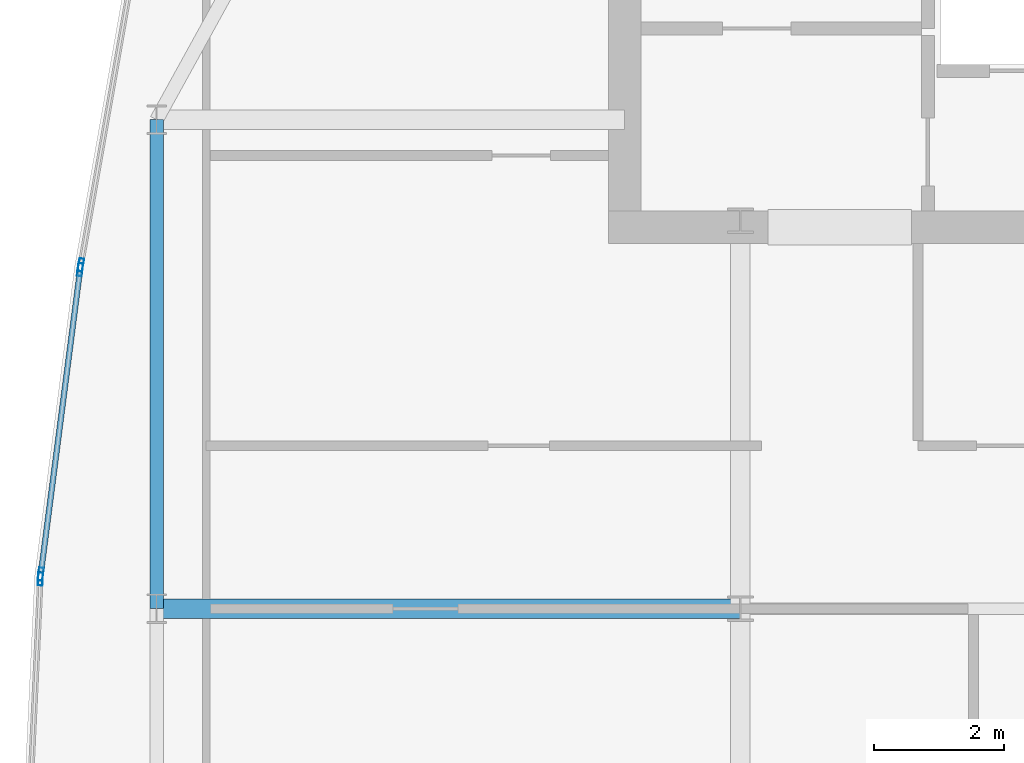
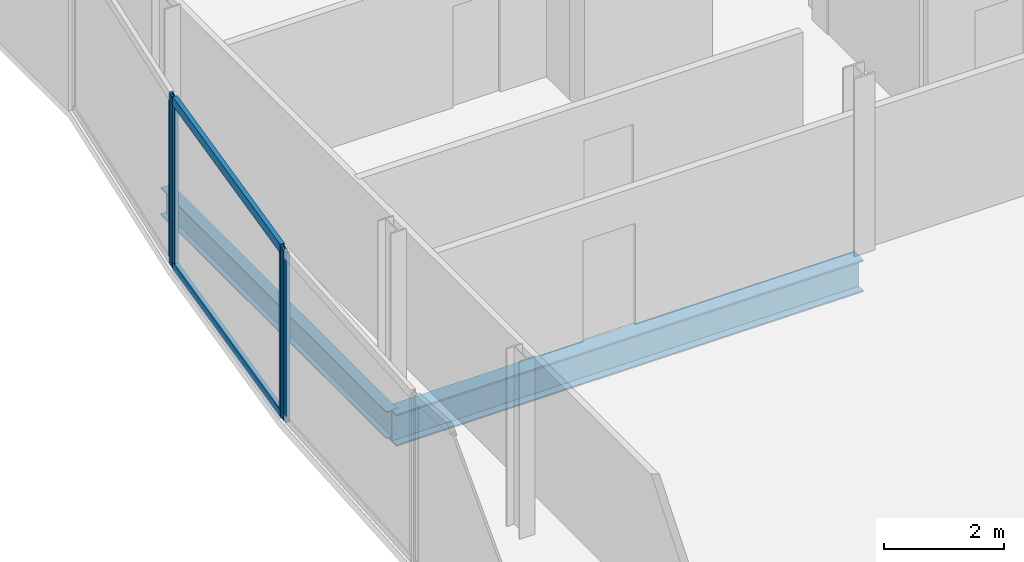
# One storey, part 12 of 30: 6 members, 2 beams, 3 elements without a shape of their own.
"""IFC4 building model written with IfcOpenShell, lengths in metres."""

import ifcopenshell
import ifcopenshell.guid

model = None  # the IFC model being written
_history = None  # IfcOwnerHistory: only IFC2X3 demands one
_inside = {}  # id of a spatial element -> (the spatial element, [elements in it])
_under = {}  # id of a project, library or spatial element -> (it, [spatial elements below it])
_declared = {}  # id of a project -> (the project, [libraries it declares])
_typed = {}  # id of a type object -> (the type object, [elements of that type])
_made_of = {}  # id of a material, layer set ... -> (it, [elements and type objects made of it])


def new_model(schema):
    """Start an empty IFC model of exactly this schema.

    Asked for "IFC4X3", IfcOpenShell would pick the latest addendum, in which some entities
    have other attributes; the version numbers below select the first issue.
    IFC2X3 requires an IfcOwnerHistory on every rooted entity: one is made here for all.
    """
    global model, _history
    if schema == "IFC4X3":
        model = ifcopenshell.file(schema_version=(4, 3, 0, 0))
    else:
        model = ifcopenshell.file(schema=schema)
    _inside.clear()
    _under.clear()
    _declared.clear()
    _typed.clear()
    _made_of.clear()
    _history = None
    if model.schema == "IFC2X3":
        org = make("IfcOrganization", Name="unknown")
        user = make(
            "IfcPersonAndOrganization",
            ThePerson=make("IfcPerson", FamilyName="unknown"),
            TheOrganization=org,
        )
        app = make(
            "IfcApplication",
            ApplicationDeveloper=org,
            Version="unknown",
            ApplicationFullName="unknown",
            ApplicationIdentifier="unknown",
        )
        _history = make(
            "IfcOwnerHistory",
            OwningUser=user,
            OwningApplication=app,
            ChangeAction="ADDED",
            CreationDate=0,
        )
    return model


def make(cls, **values):
    """One entity of the class cls with the attributes given. An attribute that is None is left unset."""
    return model.create_entity(
        cls, **{name: value for name, value in values.items() if value is not None}
    )


def rooted(cls, **values):
    """An entity with a GlobalId (a new one), such as an element, a storey or a relation."""
    return make(cls, GlobalId=ifcopenshell.guid.new(), OwnerHistory=_history, **values)


def si_unit(unit_type, name, prefix=None):
    """IfcSIUnit, for example si_unit("LENGTHUNIT", "METRE", prefix="MILLI")."""
    return make("IfcSIUnit", UnitType=unit_type, Prefix=prefix, Name=name)


def assignment(units):
    """IfcUnitAssignment: the units of a project."""
    return None if units is None else make("IfcUnitAssignment", Units=units)


def point(xyz):
    """IfcCartesianPoint."""
    return None if xyz is None else make("IfcCartesianPoint", Coordinates=xyz)


def direction(xyz):
    """IfcDirection."""
    return None if xyz is None else make("IfcDirection", DirectionRatios=xyz)


def frame(location, z_axis=None, x_axis=None):
    """IfcAxis2Placement3D, a coordinate frame: its origin and axes. An axis left out is left unset."""
    return make(
        "IfcAxis2Placement3D",
        Location=point(location),
        Axis=direction(z_axis),
        RefDirection=direction(x_axis),
    )


def frame_2d(location, x_axis=None):
    """IfcAxis2Placement2D, a coordinate frame in the plane: its origin and x axis."""
    return make(
        "IfcAxis2Placement2D", Location=point(location), RefDirection=direction(x_axis)
    )


def origin():
    """The frame at (0, 0, 0) with its axes left unset."""
    return frame((0.0, 0.0, 0.0))


def origin_2d():
    """The frame at (0, 0) in the plane with its x axis left unset."""
    return frame_2d((0.0, 0.0))


def place(relative_to, where):
    """IfcLocalPlacement: puts the frame where relative to a parent placement (None: the world)."""
    return make(
        "IfcLocalPlacement", PlacementRelTo=relative_to, RelativePlacement=where
    )


def context(
    kind, dimensions, precision=None, world=None, true_north=None, identifier=None
):
    """IfcGeometricRepresentationContext, for example the 3D "Model" context."""
    return make(
        "IfcGeometricRepresentationContext",
        ContextIdentifier=identifier,
        ContextType=kind,
        CoordinateSpaceDimension=dimensions,
        Precision=precision,
        WorldCoordinateSystem=world,
        TrueNorth=true_north,
    )


def subcontext(parent, identifier, kind, view, scale=None):
    """IfcGeometricRepresentationSubContext, for example "Body" below "Model"."""
    return make(
        "IfcGeometricRepresentationSubContext",
        ContextIdentifier=identifier,
        ContextType=kind,
        ParentContext=parent,
        TargetScale=scale,
        TargetView=view,
    )


def project(units=None, contexts=None):
    """IfcProject with its units and contexts."""
    return rooted(
        "IfcProject",
        Name="project",
        RepresentationContexts=contexts,
        UnitsInContext=assignment(units),
    )


def spatial(cls, under=None, at=None, **own):
    """A site, building, storey or space (cls), placed at a placement, below another one or the project."""
    s = rooted(cls, ObjectPlacement=at, **own)
    if under is not None:
        _under.setdefault(under.id(), (under, []))[1].append(s)
    return s


def profile(cls, at=None, kind="AREA", **sizes):
    """A parametric profile (cls). Its sizes go by their IFC names, for example OverallWidth=200.0."""
    return make(cls, ProfileType=kind, Position=at, **sizes)


def hollow_rectangle(**sizes):
    """IfcRectangleHollowProfileDef."""
    return profile("IfcRectangleHollowProfileDef", **sizes)


def i_section(**sizes):
    """IfcIShapeProfileDef."""
    return profile("IfcIShapeProfileDef", **sizes)


def extrude(swept, where, along, depth):
    """IfcExtrudedAreaSolid: the profile swept, set in the frame where, extruded along a direction by depth."""
    return make(
        "IfcExtrudedAreaSolid",
        SweptArea=swept,
        Position=where,
        ExtrudedDirection=direction(along),
        Depth=depth,
    )


def shape(context_of_items, identifier, shape_type, items):
    """IfcShapeRepresentation: the items that make up one representation, for example the "Body"."""
    return make(
        "IfcShapeRepresentation",
        ContextOfItems=context_of_items,
        RepresentationIdentifier=identifier,
        RepresentationType=shape_type,
        Items=items,
    )


def material(Name=None, Category=None):
    """IfcMaterial."""
    return make("IfcMaterial", Name=Name, Category=Category)


def material_profile(
    of_material, cross_section, Name=None, Category=None, Priority=None
):
    """IfcMaterialProfile: a cross section and its material."""
    return make(
        "IfcMaterialProfile",
        Name=Name,
        Material=of_material,
        Profile=cross_section,
        Priority=Priority,
        Category=Category,
    )


def profile_set(profiles, Name=None, composite=None):
    """IfcMaterialProfileSet."""
    return make(
        "IfcMaterialProfileSet",
        Name=Name,
        MaterialProfiles=profiles,
        CompositeProfile=composite,
    )


def made_of(thing, what):
    """Note that an element or type object is made of a material, layer set ...; save() writes the relation."""
    if what is not None:
        _made_of.setdefault(what.id(), (what, []))[1].append(thing)
    return thing


def type_object(cls, material=None, **own):
    """A type object (cls), such as IfcWallType, which elements share."""
    return made_of(rooted(cls, **own), material)


def element(
    cls,
    number,
    at=None,
    inside=None,
    cuts=None,
    type_object=None,
    material=None,
    context=None,
    identifier="Body",
    shape_type=None,
    held_by="IfcProductDefinitionShape",
    body=None,
    shapes=None,
    **own,
):
    """One element of the class cls, such as IfcWall. Its Tag is "e" and its number.

    at: its placement. inside: the storey or other place that contains it. cuts: it is an
    opening in that element (IfcRelVoidsElement). A single representation is given by context,
    identifier, shape_type and body (its items); several are given by shapes. held_by: the class
    of the entity that holds the representations. save() writes the other relations.
    """
    e = rooted(cls, Tag="e%d" % number, ObjectPlacement=at, **own)
    if body is not None:
        shapes = [shape(context, identifier, shape_type, body)]
    if shapes is not None:
        e.Representation = make(held_by, Representations=shapes)
    if inside is not None:
        _inside.setdefault(inside.id(), (inside, []))[1].append(e)
    if cuts is not None:
        rooted(
            "IfcRelVoidsElement", RelatingBuildingElement=cuts, RelatedOpeningElement=e
        )
    if type_object is not None:
        _typed.setdefault(type_object.id(), (type_object, []))[1].append(e)
    return made_of(e, material)


def aggregate(whole, parts):
    """IfcRelAggregates: a whole, such as a stair, and the parts it consists of."""
    return rooted("IfcRelAggregates", RelatingObject=whole, RelatedObjects=parts)


def save(model, path):
    """Write the relations noted so far, then the file.

    IfcRelAggregates (storeys below a building ...), IfcRelContainedInSpatialStructure (elements
    in a storey), IfcRelDefinesByType, IfcRelAssociatesMaterial and IfcRelDeclares: one each for
    every whole, place, type object, material and project.
    """
    for whole, parts in _under.values():
        aggregate(whole, parts)
    for where, things in _inside.values():
        rooted(
            "IfcRelContainedInSpatialStructure",
            RelatedElements=things,
            RelatingStructure=where,
        )
    for kind, things in _typed.values():
        rooted("IfcRelDefinesByType", RelatedObjects=things, RelatingType=kind)
    for what, things in _made_of.values():
        rooted("IfcRelAssociatesMaterial", RelatedObjects=things, RelatingMaterial=what)
    for by, libraries in _declared.values():
        rooted("IfcRelDeclares", RelatingContext=by, RelatedDefinitions=libraries)
    model.write(path)


model = new_model("IFC4")

# Units and contexts
model_context = context("Model", 3, precision=1e-05, world=origin(), true_north=direction((0.0, 1.0)))
body_context = subcontext(model_context, "Body", "Model", "MODEL_VIEW")
ifc_project = project(units=[si_unit("LENGTHUNIT", "METRE"), si_unit("AREAUNIT", "SQUARE_METRE"), si_unit("VOLUMEUNIT", "CUBIC_METRE"), si_unit("PLANEANGLEUNIT", "RADIAN"), si_unit("MASSUNIT", "GRAM", prefix="KILO")], contexts=[model_context])

# Site, building, storey
site_placement = place(None, origin())
site = spatial("IfcSite", under=ifc_project, at=site_placement, CompositionType="ELEMENT")
building_placement = place(site_placement, origin())
building = spatial("IfcBuilding", under=site, at=building_placement, Name="Khoronbel Lancet Exchange", CompositionType="ELEMENT")
storey_placement = place(building_placement, frame((0.0, 0.0, 277.0)))
storey = spatial("IfcBuildingStorey", under=building, at=storey_placement, Name="L71", CompositionType="ELEMENT", Elevation=277.0)

# Beams
ifc_material_1 = material(Name="Steel S355", Category="steel")
ifc_material_profile_1 = material_profile(ifc_material_1, i_section(OverallWidth=0.300048828125, OverallDepth=0.64990234375, WebThickness=0.01611328125, FlangeThickness=0.031005859375, at=origin_2d()), Name="HEB 650")
ifc_profile_set_1 = profile_set([ifc_material_profile_1], Name="Steel S355")
beam_type_1 = type_object("IfcBeamType", Name="BM-BG4", PredefinedType="BEAM", material=ifc_profile_set_1)
beam_1_placement = place(storey_placement, frame((9.27001953125, 35.699951171875, -0.485107421875), z_axis=(1.0, 0.0, 0.0), x_axis=(0.0, 1.0, 0.0)))
element("IfcBeam", 1, at=beam_1_placement, inside=storey, type_object=beam_type_1, Name="Level L71 west lens tie girder LG4W", PredefinedType="BEAM", context=body_context, shape_type="SweptSolid", body=[
    extrude(i_section(OverallWidth=0.300048828125, OverallDepth=0.64990234375, WebThickness=0.01611328125, FlangeThickness=0.031005859375, at=origin_2d()), origin(), (0.0, 0.0, 1.0), 8.955078125),
])
ifc_material_profile_2 = material_profile(ifc_material_1, i_section(OverallWidth=0.2099609375, OverallDepth=0.550048828125, WebThickness=0.010986328125, FlangeThickness=0.01708984375, at=origin_2d()), Name="IPE 550")
ifc_profile_set_2 = profile_set([ifc_material_profile_2], Name="Steel S355")
beam_type_2 = type_object("IfcBeamType", Name="BM-BSP3", PredefinedType="SPANDREL", material=ifc_profile_set_2)
beam_2_placement = place(storey_placement, frame((9.27001953125, 43.199951171875, -0.43505859375), z_axis=(0.0, -1.0, 0.0), x_axis=(1.0, 0.0, 0.0)))
element("IfcBeam", 2, at=beam_2_placement, inside=storey, type_object=beam_type_2, Name="Level L71 perimeter spandrel beam SP17", PredefinedType="SPANDREL", context=body_context, shape_type="SweptSolid", body=[
    extrude(i_section(OverallWidth=0.2099609375, OverallDepth=0.550048828125, WebThickness=0.010986328125, FlangeThickness=0.01708984375, at=origin_2d()), origin(), (0.0, 0.0, 1.0), 7.5),
])

# Curtain wall, member
ifc_material_2 = material(Name="Low-E Solar Control Insulating Glass", Category="glass")
curtain_wall_type = type_object("IfcCurtainWallType", Name="CW-4", PredefinedType="NOTDEFINED", material=ifc_material_2)
curtain_wall_1_placement = place(storey_placement, origin())
curtain_wall_1 = element("IfcCurtainWall", 3, at=curtain_wall_1_placement, inside=storey, type_object=curtain_wall_type, Name="Unitised curtain wall CW-L71-E07", PredefinedType="NOTDEFINED")
ifc_material_3 = material(Name="Bronze-Anodised Aluminium 6063-T6", Category="aluminium")
ifc_material_profile_3 = material_profile(ifc_material_3, hollow_rectangle(XDim=0.074951171875, YDim=0.199951171875, WallThickness=0.0048828125, at=origin_2d()), Name="ALU MULLION 75x200")
ifc_profile_set_3 = profile_set([ifc_material_profile_3], Name="Bronze-Anodised Aluminium 6063-T6")
member_type_1 = type_object("IfcMemberType", Name="MEM-CWM2", PredefinedType="MULLION", material=ifc_profile_set_3)
member_1_placement = place(storey_placement, frame((7.486328125, 36.154541015625, 0.0), z_axis=(0.0, 0.0, 1.0), x_axis=(-0.998885229107, 0.047204862799, 0.0)))
member_1 = element("IfcMember", 4, at=member_1_placement, type_object=member_type_1, Name="CW4 mullion 2", PredefinedType="MULLION", context=body_context, shape_type="SweptSolid", body=[
    extrude(hollow_rectangle(XDim=0.074951171875, YDim=0.199951171875, WallThickness=0.0048828125, at=origin_2d()), origin(), (0.0, 0.0, 1.0), 3.43994140625),
])
aggregate(curtain_wall_1, [member_1])

# Curtain wall, members
curtain_wall_2_placement = place(storey_placement, origin())
curtain_wall_2 = element("IfcCurtainWall", 5, at=curtain_wall_2_placement, inside=storey, type_object=curtain_wall_type, Name="Unitised curtain wall CW-L71-E08", PredefinedType="NOTDEFINED")
member_2_placement = place(storey_placement, frame((7.492919921875, 36.229248046875, 0.0), z_axis=(0.0, 0.0, 1.0), x_axis=(-0.991761083348, 0.12810134096, 0.0)))
member_2 = element("IfcMember", 6, at=member_2_placement, type_object=member_type_1, Name="CW4 mullion 1", PredefinedType="MULLION", context=body_context, shape_type="SweptSolid", body=[
    extrude(hollow_rectangle(XDim=0.074951171875, YDim=0.199951171875, WallThickness=0.0048828125, at=origin_2d()), origin(), (0.0, 0.0, 1.0), 3.43994140625),
])
member_3_placement = place(storey_placement, frame((8.09619140625, 40.899169921875, 0.0), z_axis=(0.0, 0.0, 1.0), x_axis=(-0.991761083348, 0.12810134096, 0.0)))
member_3 = element("IfcMember", 7, at=member_3_placement, type_object=member_type_1, Name="CW4 mullion 2", PredefinedType="MULLION", context=body_context, shape_type="SweptSolid", body=[
    extrude(hollow_rectangle(XDim=0.074951171875, YDim=0.199951171875, WallThickness=0.0048828125, at=origin_2d()), origin(), (0.0, 0.0, 1.0), 3.43994140625),
])

# Curtain wall, member
curtain_wall_3_placement = place(storey_placement, origin())
curtain_wall_3 = element("IfcCurtainWall", 8, at=curtain_wall_3_placement, inside=storey, type_object=curtain_wall_type, Name="Unitised curtain wall CW-L71-E09", PredefinedType="NOTDEFINED")
member_4_placement = place(storey_placement, frame((8.107421875, 40.973388671875, 0.0), z_axis=(0.0, 0.0, 1.0), x_axis=(-0.984792104729, 0.173736900118, 0.0)))
member_4 = element("IfcMember", 9, at=member_4_placement, type_object=member_type_1, Name="CW4 mullion 1", PredefinedType="MULLION", context=body_context, shape_type="SweptSolid", body=[
    extrude(hollow_rectangle(XDim=0.074951171875, YDim=0.199951171875, WallThickness=0.0048828125, at=origin_2d()), origin(), (0.0, 0.0, 1.0), 3.43994140625),
])
aggregate(curtain_wall_3, [member_4])

# Member
ifc_material_profile_4 = material_profile(ifc_material_3, hollow_rectangle(XDim=0.0849609375, YDim=0.179931640625, WallThickness=0.0048828125, at=origin_2d()), Name="ALU TRANSOM 85x180")
ifc_profile_set_4 = profile_set([ifc_material_profile_4], Name="Bronze-Anodised Aluminium 6063-T6")
member_type_2 = type_object("IfcMemberType", Name="MEM-CWT1", PredefinedType="USERDEFINED", material=ifc_profile_set_4)
member_5_placement = place(storey_placement, frame((7.497802734375, 36.2666015625, 0.04248046875), z_axis=(0.128086691458, 0.991762975449, 0.0), x_axis=(-0.991762975449, 0.128086691458, 0.0)))
member_5 = element("IfcMember", 10, at=member_5_placement, type_object=member_type_2, Name="CW4 transom 1.1", ObjectType="TRANSOM", PredefinedType="USERDEFINED", context=body_context, shape_type="SweptSolid", body=[
    extrude(hollow_rectangle(XDim=0.0849609375, YDim=0.179931640625, WallThickness=0.0048828125, at=origin_2d()), origin(), (0.0, 0.0, 1.0), 4.633544921875),
])

member_6_placement = place(storey_placement, frame((7.497802734375, 36.2666015625, 3.3974609375), z_axis=(0.128086691458, 0.991762975449, 0.0), x_axis=(-0.991762975449, 0.128086691458, 0.0)))
member_6 = element("IfcMember", 11, at=member_6_placement, type_object=member_type_2, Name="CW4 transom 1.2", ObjectType="TRANSOM", PredefinedType="USERDEFINED", context=body_context, shape_type="SweptSolid", body=[
    extrude(hollow_rectangle(XDim=0.0849609375, YDim=0.179931640625, WallThickness=0.0048828125, at=origin_2d()), origin(), (0.0, 0.0, 1.0), 4.633544921875),
])

aggregate(curtain_wall_2, [member_2, member_3, member_5, member_6])

save(model, "model.ifc")
